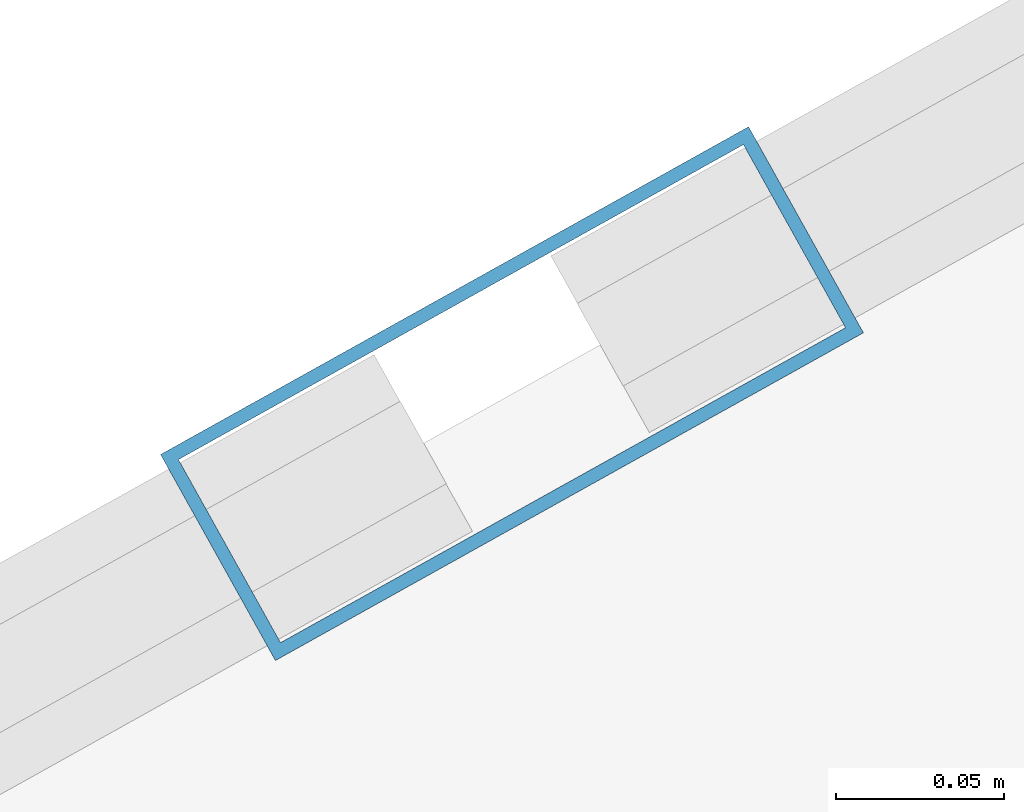
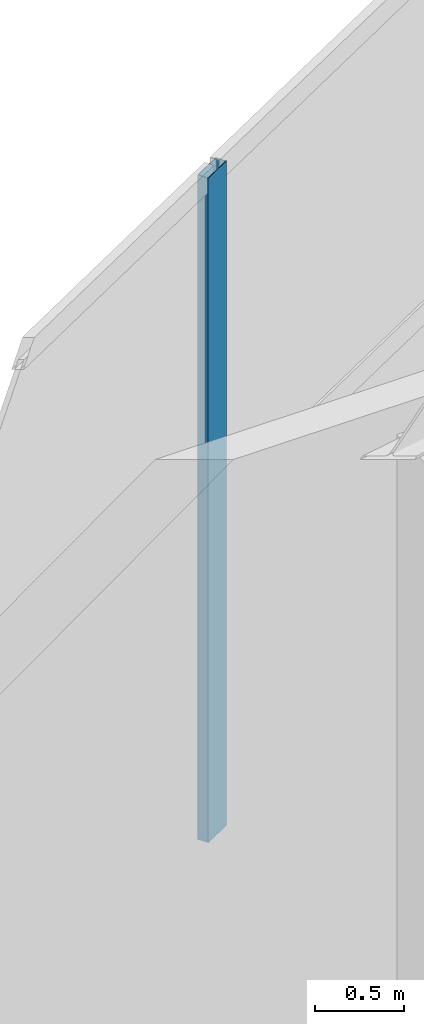
# One storey, part 4 of 19: 1 member, 1 element without a shape of its own.
"""IFC4 building model written with IfcOpenShell, lengths in metres."""

from ifc_helpers import new_model, si_unit, direction, frame, origin, origin_2d, place, context, subcontext, project, spatial, hollow_rectangle, extrude, material, layer, layer_set, material_profile, profile_set, type_object, element, aggregate, save


model = new_model("IFC4")

# Units and contexts
model_context = context("Model", 3, precision=1e-05, world=origin(), true_north=direction((0.0, 1.0)))
body_context = subcontext(model_context, "Body", "Model", "MODEL_VIEW")
ifc_project = project(units=[si_unit("LENGTHUNIT", "METRE"), si_unit("AREAUNIT", "SQUARE_METRE"), si_unit("VOLUMEUNIT", "CUBIC_METRE"), si_unit("PLANEANGLEUNIT", "RADIAN"), si_unit("MASSUNIT", "GRAM", prefix="KILO")], contexts=[model_context])

# Site, building, storey
site_placement = place(None, origin())
site = spatial("IfcSite", under=ifc_project, at=site_placement, CompositionType="ELEMENT")
building_placement = place(site_placement, origin())
building = spatial("IfcBuilding", under=site, at=building_placement, Name="Calvorn Quay Hotel", CompositionType="ELEMENT")
storey_placement = place(building_placement, frame((0.0, 0.0, 139.199951171875)))
storey = spatial("IfcBuildingStorey", under=building, at=storey_placement, Name="L34", CompositionType="ELEMENT", Elevation=139.199951171875)

# Curtain wall, member
ifc_material_1 = material(Name="Pale Anodised Aluminium and Low-E Glass", Category="aluminium")
ifc_layer = layer(ifc_material_1, 0.219970703125)
ifc_layer_set = layer_set([ifc_layer], Name="CW-SYS-Z2")
curtain_wall_type = type_object("IfcCurtainWallType", Name="CW-SYS-Z2", PredefinedType="NOTDEFINED", material=ifc_layer_set)
curtain_wall_placement = place(storey_placement, origin())
curtain_wall = element("IfcCurtainWall", 1, at=curtain_wall_placement, inside=storey, type_object=curtain_wall_type, Name="Inner Court Curtain Wall L34-NE1", PredefinedType="NOTDEFINED")
ifc_material_2 = material(Name="Pale Anodised Aluminium 6063-T6", Category="aluminium")
ifc_material_profile = material_profile(ifc_material_2, hollow_rectangle(XDim=0.070068359375, YDim=0.199951171875, WallThickness=0.00390625, at=origin_2d()), Name="ALU-M200x70x4")
ifc_profile_set = profile_set([ifc_material_profile], Name="Pale Anodised Aluminium 6063-T6")
member_type = type_object("IfcMemberType", Name="CW-SYS-Z2-MUL", PredefinedType="MULLION", material=ifc_profile_set)
member_placement = place(storey_placement, frame((29.7333984375, 28.933349609375, 0.0), z_axis=(0.0, 0.0, 1.0), x_axis=(0.486858256224, -0.873480989116, 0.0)))
member = element("IfcMember", 2, at=member_placement, type_object=member_type, Name="CW-L34-NE1 mullion 3", PredefinedType="MULLION", context=body_context, shape_type="SweptSolid", body=[
    extrude(hollow_rectangle(XDim=0.070068359375, YDim=0.199951171875, WallThickness=0.00390625, at=origin_2d()), origin(), (0.0, 0.0, 1.0), 4.56005859375),
])
aggregate(curtain_wall, [member])

save(model, "model.ifc")
